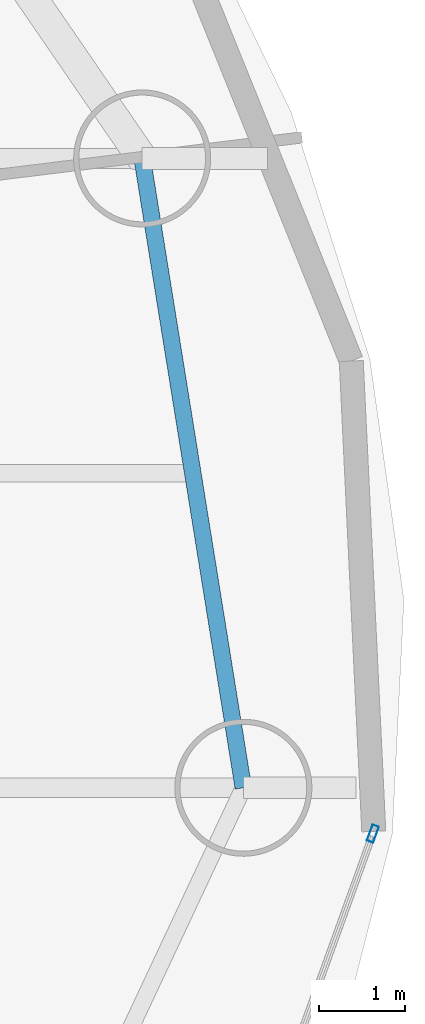
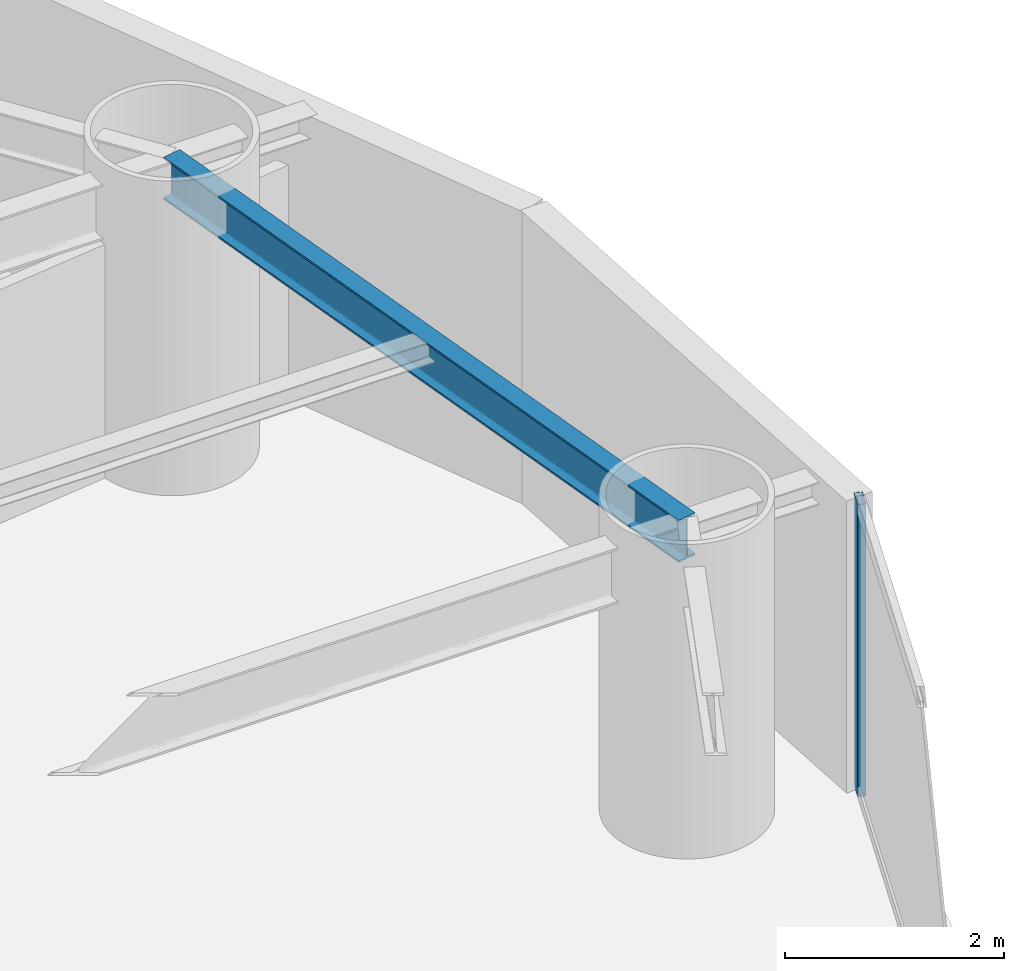
# One storey, part 9 of 23: 1 beam, 1 member, 1 element without a shape of its own.
"""IFC4 building model written with IfcOpenShell, lengths in metres."""

from ifc_helpers import new_model, si_unit, direction, frame, origin, origin_2d, place, context, subcontext, project, spatial, hollow_rectangle, i_section, extrude, material, layer, layer_set, material_profile, profile_set, type_object, element, aggregate, save


model = new_model("IFC4")

# Units and contexts
model_context = context("Model", 3, precision=1e-05, world=origin(), true_north=direction((0.0, 1.0)))
body_context = subcontext(model_context, "Body", "Model", "MODEL_VIEW")
ifc_project = project(units=[si_unit("LENGTHUNIT", "METRE"), si_unit("AREAUNIT", "SQUARE_METRE"), si_unit("VOLUMEUNIT", "CUBIC_METRE"), si_unit("PLANEANGLEUNIT", "RADIAN"), si_unit("MASSUNIT", "GRAM", prefix="KILO")], contexts=[model_context])

# Site, building, storey
site_placement = place(None, origin())
site = spatial("IfcSite", under=ifc_project, at=site_placement, CompositionType="ELEMENT")
building_placement = place(site_placement, origin())
building = spatial("IfcBuilding", under=site, at=building_placement, Name="Bramvorn Convention Spire", CompositionType="ELEMENT")
storey_placement = place(building_placement, frame((0.0, 0.0, 69.39990234375)))
storey = spatial("IfcBuildingStorey", under=building, at=storey_placement, Name="L15", CompositionType="ELEMENT", Elevation=69.39990234375)

# Beam
ifc_material_1 = material(Name="Steel CSA G40.21 Grade 350 (350W)", Category="steel")
ifc_material_profile_1 = material_profile(ifc_material_1, i_section(OverallWidth=0.194091796875, OverallDepth=0.468994140625, WebThickness=0.0126953125, FlangeThickness=0.0205078125, FilletRadius=0.01806640625, at=origin_2d()))
ifc_profile_set_1 = profile_set([ifc_material_profile_1], Name="Steel CSA G40.21 Grade 350 (350W) - W460X106")
beam_type = type_object("IfcBeamType", Name="BM-W460X106", PredefinedType="SPANDREL", material=ifc_profile_set_1)
beam_placement = place(storey_placement, frame((66.519775390625, 21.99169921875, 3.015625), z_axis=(-0.158699222824, 0.987326975563, 0.0), x_axis=(-0.987326975563, -0.158699222824, 0.0)))
element("IfcBeam", 1, at=beam_placement, inside=storey, type_object=beam_type, Name="L15 mega-column ring beam 01", PredefinedType="SPANDREL", context=body_context, shape_type="SweptSolid", body=[
    extrude(i_section(OverallWidth=0.194091796875, OverallDepth=0.468994140625, WebThickness=0.0126953125, FlangeThickness=0.0205078125, FilletRadius=0.01806640625, at=origin_2d()), origin(), (0.0, 0.0, 1.0), 7.442626953125),
])

# Curtain wall, member
ifc_material_2 = material(Name="Anodised Bronze Unitised Curtain Wall", Category="aluminium")
ifc_layer = layer(ifc_material_2, 0.179931640625)
ifc_layer_set = layer_set([ifc_layer], Name="Anodised Bronze Unitised Curtain Wall - CW-HTL-FRIT")
curtain_wall_type = type_object("IfcCurtainWallType", Name="CW-HTL-FRIT", PredefinedType="USERDEFINED", material=ifc_layer_set)
curtain_wall_placement = place(storey_placement, origin())
curtain_wall = element("IfcCurtainWall", 2, at=curtain_wall_placement, inside=storey, type_object=curtain_wall_type, Name="L15 fritted glass curtain wall 24", ObjectType="UNITISED CURTAIN WALL", PredefinedType="USERDEFINED")
ifc_material_3 = material(Name="Anodised Bronze Aluminium 6063-T6", Category="aluminium")
ifc_material_profile_2 = material_profile(ifc_material_3, hollow_rectangle(XDim=0.080078125, YDim=0.199951171875, WallThickness=0.00390625, InnerFilletRadius=0.0009765625, OuterFilletRadius=0.00390625, at=origin_2d()))
ifc_profile_set_2 = profile_set([ifc_material_profile_2], Name="Anodised Bronze Aluminium 6063-T6 - CWM80X200")
member_type = type_object("IfcMemberType", Name="CW-MUL-180", PredefinedType="MULLION", material=ifc_profile_set_2)
member_placement = place(storey_placement, frame((68.0322265625, 21.455078125, 0.0), z_axis=(0.0, 0.0, 1.0), x_axis=(0.940655067305, -0.339364176592, 0.0)))
member = element("IfcMember", 3, at=member_placement, type_object=member_type, Name="CW2 mullion 1", PredefinedType="MULLION", context=body_context, shape_type="SweptSolid", body=[
    extrude(hollow_rectangle(XDim=0.080078125, YDim=0.199951171875, WallThickness=0.00390625, InnerFilletRadius=0.0009765625, OuterFilletRadius=0.00390625, at=origin_2d()), origin(), (0.0, 0.0, 1.0), 3.25),
])
aggregate(curtain_wall, [member])

save(model, "model.ifc")
